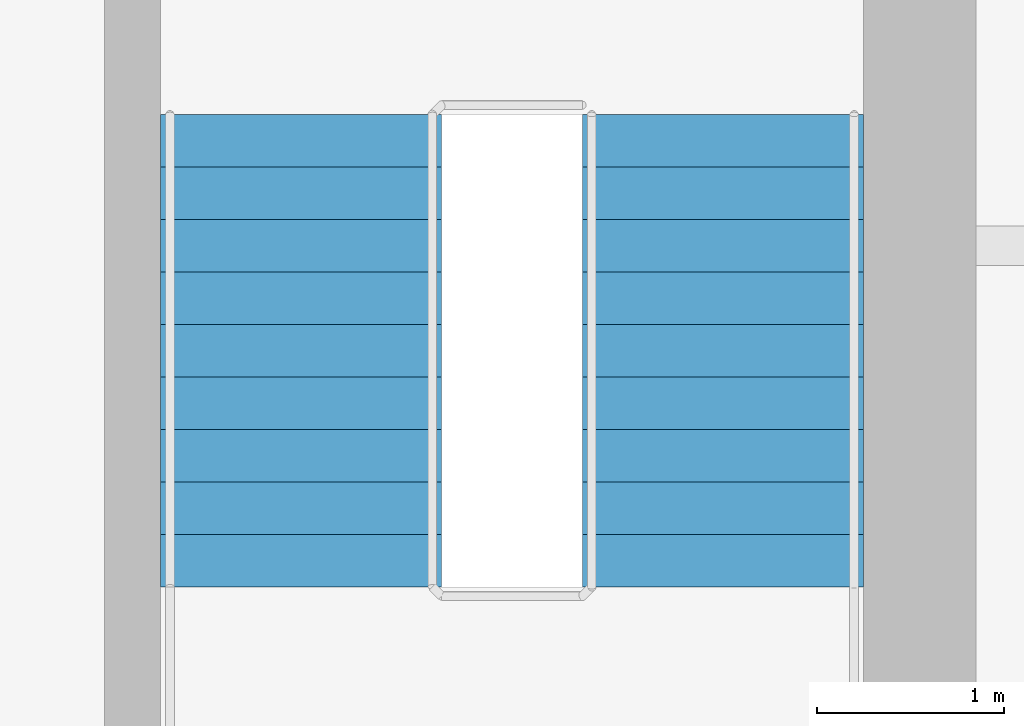
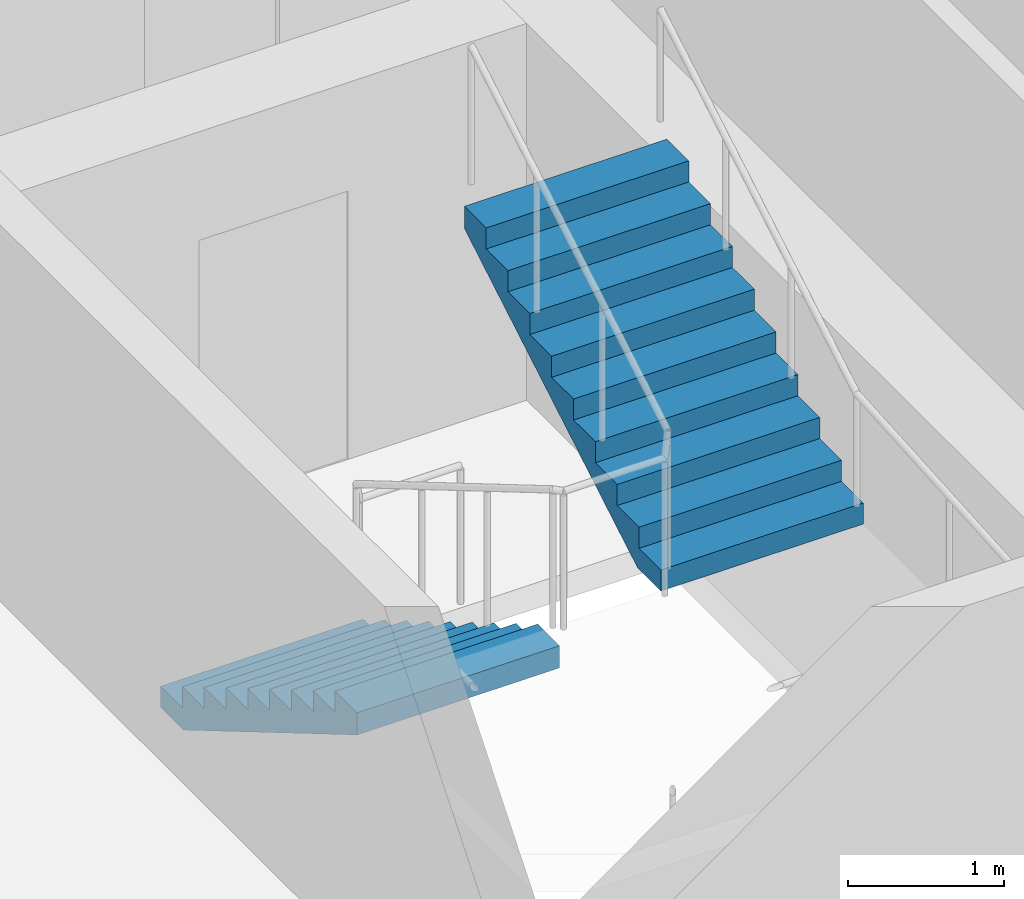
# One storey, part 8 of 10: 2 stair flights, 1 element without a shape of its own.
"""IFC4 building model written with IfcOpenShell, lengths in metres."""

from ifc_helpers import new_model, si_unit, direction, frame, origin, place, context, subcontext, project, spatial, polyline, outline, extrude, material, type_object, element, aggregate, save


model = new_model("IFC4")

# Units and contexts
model_context = context("Model", 3, precision=1e-05, world=origin(), true_north=direction((0.0, 1.0)))
body_context = subcontext(model_context, "Body", "Model", "MODEL_VIEW")
ifc_project = project(units=[si_unit("LENGTHUNIT", "METRE"), si_unit("AREAUNIT", "SQUARE_METRE"), si_unit("VOLUMEUNIT", "CUBIC_METRE"), si_unit("PLANEANGLEUNIT", "RADIAN"), si_unit("MASSUNIT", "GRAM", prefix="KILO")], contexts=[model_context])

# Site, building, storey
site_placement = place(None, origin())
site = spatial("IfcSite", under=ifc_project, at=site_placement, CompositionType="ELEMENT")
building_placement = place(site_placement, origin())
building = spatial("IfcBuilding", under=site, at=building_placement, Name="Amberfall Residences", CompositionType="ELEMENT")
storey_placement = place(building_placement, frame((0.0, 0.0, 226.60009765625)))
storey = spatial("IfcBuildingStorey", under=building, at=storey_placement, Name="L61", CompositionType="ELEMENT", Elevation=226.60009765625)

# Stair, stair flights
ifc_material = material(Name="Concrete C40", Category="concrete")
stair_type = type_object("IfcStairType", Name="Exit stair 20 risers 165.0 mm", PredefinedType="HALF_TURN_STAIR", material=ifc_material)
stair_placement = place(storey_placement, origin())
stair = element("IfcStair", 1, at=stair_placement, inside=storey, type_object=stair_type, Name="L61 Exit stair 3", PredefinedType="HALF_TURN_STAIR")
stair_flight_type = type_object("IfcStairFlightType", Name="Stair flight 10 risers 165.0 mm", PredefinedType="STRAIGHT", material=ifc_material)
stair_flight_1_placement = place(storey_placement, frame((82.89990234375, 55.10009765625, 0.0), z_axis=(0.0, 0.0, 1.0), x_axis=(0.0, -1.0, 0.0)))
stair_flight_1 = element("IfcStairFlight", 2, at=stair_flight_1_placement, type_object=stair_flight_type, Name="ST3 flight 1", NumberOfRisers=10, NumberOfTreads=9, PredefinedType="STRAIGHT", RiserHeight=0.165, TreadLength=0.28, context=body_context, shape_type="SweptSolid", body=[
    extrude(outline(polyline([(0.0, 0.0), (0.0, 0.1650390625), (0.280029296875, 0.1650390625), (0.280029296875, 0.330078125), (0.56005859375, 0.330078125), (0.56005859375, 0.4951171875), (0.840087890625, 0.4951171875), (0.840087890625, 0.659912109375), (1.1201171875, 0.659912109375), (1.1201171875, 0.824951171875), (1.39990234375, 0.824951171875), (1.39990234375, 0.989990234375), (1.679931640625, 0.989990234375), (1.679931640625, 1.155029296875), (1.9599609375, 1.155029296875), (1.9599609375, 1.320068359375), (2.239990234375, 1.320068359375), (2.239990234375, 1.485107421875), (2.52001953125, 1.485107421875), (2.52001953125, 1.64990234375), (2.52001953125, 1.31103515625), (0.295166015625, 0.0), (0.0, 0.0)])), frame((0.0, 0.75, 0.0), z_axis=(0.0, -1.0, 0.0), x_axis=(1.0, 0.0, 0.0)), (0.0, 0.0, 1.0), 1.5),
])
stair_flight_2_placement = place(storey_placement, frame((85.14990234375, 52.580078125, 1.64990234375), z_axis=(0.0, 0.0, 1.0), x_axis=(0.0, 1.0, 0.0)))
stair_flight_2 = element("IfcStairFlight", 3, at=stair_flight_2_placement, type_object=stair_flight_type, Name="ST3 flight 2", NumberOfRisers=10, NumberOfTreads=9, PredefinedType="STRAIGHT", RiserHeight=0.165, TreadLength=0.28, context=body_context, shape_type="SweptSolid", body=[
    extrude(outline(polyline([(0.0, 0.0), (0.0, 0.1650390625), (0.280029296875, 0.1650390625), (0.280029296875, 0.330078125), (0.56005859375, 0.330078125), (0.56005859375, 0.4951171875), (0.840087890625, 0.4951171875), (0.840087890625, 0.659912109375), (1.1201171875, 0.659912109375), (1.1201171875, 0.824951171875), (1.39990234375, 0.824951171875), (1.39990234375, 0.989990234375), (1.679931640625, 0.989990234375), (1.679931640625, 1.155029296875), (1.9599609375, 1.155029296875), (1.9599609375, 1.320068359375), (2.239990234375, 1.320068359375), (2.239990234375, 1.485107421875), (2.52001953125, 1.485107421875), (2.52001953125, 1.64990234375), (2.52001953125, 1.31103515625), (0.295166015625, 0.0), (0.0, 0.0)])), frame((0.0, 0.75, 0.0), z_axis=(0.0, -1.0, 0.0), x_axis=(1.0, 0.0, 0.0)), (0.0, 0.0, 1.0), 1.5),
])
aggregate(stair, [stair_flight_1, stair_flight_2])

save(model, "model.ifc")
